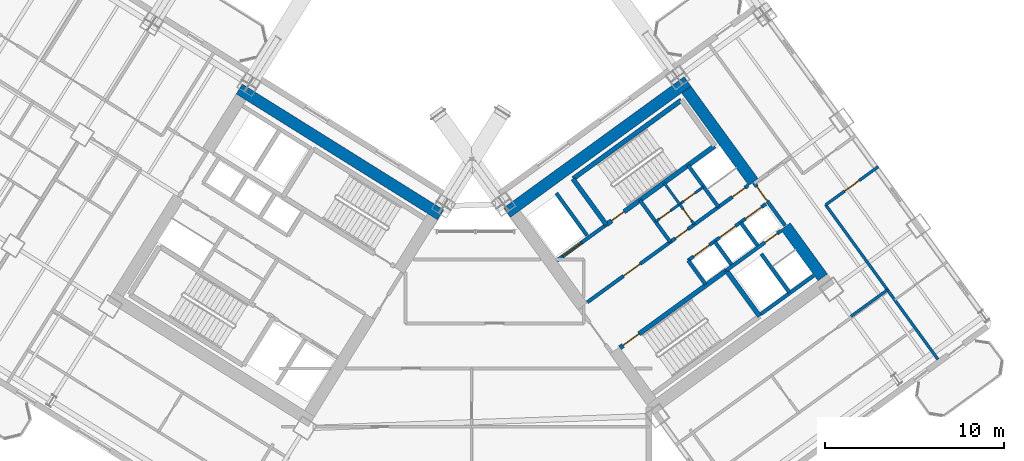
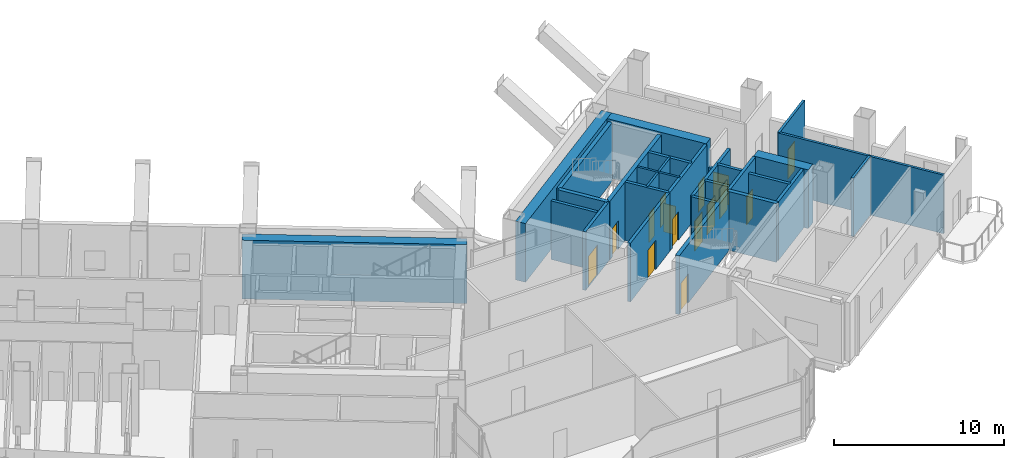
# One storey, part 25 of 30: 29 walls, 15 doors, 15 openings.
"""IFC4 building model written with IfcOpenShell, lengths in metres."""

from ifc_helpers import new_model, si_unit, direction, frame, frame_2d, origin, place, context, subcontext, project, spatial, rectangle, extrude, source, transform, mapped, material, layer, layer_set, type_object, element, fill, save


model = new_model("IFC4")

# Units and contexts
model_context = context("Model", 3, precision=1e-05, world=origin(), true_north=direction((0.0, 1.0)))
body_context = subcontext(model_context, "Body", "Model", "MODEL_VIEW")
ifc_project = project(units=[si_unit("LENGTHUNIT", "METRE"), si_unit("AREAUNIT", "SQUARE_METRE"), si_unit("VOLUMEUNIT", "CUBIC_METRE"), si_unit("PLANEANGLEUNIT", "RADIAN"), si_unit("MASSUNIT", "GRAM", prefix="KILO")], contexts=[model_context])

# Site, building, storey
site_placement = place(None, origin())
site = spatial("IfcSite", under=ifc_project, at=site_placement, CompositionType="ELEMENT")
building_placement = place(site_placement, origin())
building = spatial("IfcBuilding", under=site, at=building_placement, Name="Tlacorven Tower", CompositionType="ELEMENT")
storey_placement = place(building_placement, frame((0.0, 0.0, 67.199951171875)))
storey = spatial("IfcBuildingStorey", under=building, at=storey_placement, Name="L17", CompositionType="ELEMENT", Elevation=67.199951171875)

# Walls
ifc_material_1 = material(Name="Concrete C60/75", Category="concrete")
ifc_layer_1 = layer(ifc_material_1, 0.64990234375)
ifc_layer_set_1 = layer_set([ifc_layer_1], Name="Concrete C60/75")
wall_type_1 = type_object("IfcWallType", Name="WL-COR-650", PredefinedType="SHEAR", material=ifc_layer_set_1)
wall_1_placement = place(storey_placement, frame((40.615478515625, 23.9833984375, 0.0), z_axis=(0.0, 0.0, 1.0), x_axis=(-0.848045953968, 0.529922692436, 0.0)))
element("IfcWall", 1, at=wall_1_placement, inside=storey, type_object=wall_type_1, Name="L17 W core shear wall S1", PredefinedType="SHEAR", context=body_context, shape_type="SweptSolid", body=[
    extrude(rectangle(XDim=13.239990234375, YDim=0.64990234375, at=frame_2d((6.6201171875, 0.0))), origin(), (0.0, 0.0, 1.0), 4.219970703125),
])
wall_2_placement = place(storey_placement, frame((44.32470703125, 24.113037109375, 0.0), z_axis=(0.0, 0.0, 1.0), x_axis=(0.809012664862, 0.58779121131, 0.0)))
element("IfcWall", 2, at=wall_2_placement, inside=storey, type_object=wall_type_1, Name="L17 E core shear wall S2", PredefinedType="SHEAR", context=body_context, shape_type="SweptSolid", body=[
    extrude(rectangle(XDim=12.439697265625, YDim=0.64990234375, at=frame_2d((6.2197265625, 0.0))), origin(), (0.0, 0.0, 1.0), 4.219970703125),
])
wall_3_placement = place(storey_placement, frame((61.9287109375, 20.494384765625, 0.0), z_axis=(0.0, 0.0, 1.0), x_axis=(-0.58782982593, 0.808984607855, 0.0)))
element("IfcWall", 3, at=wall_3_placement, inside=storey, type_object=wall_type_1, Name="L17 E core end wall E2.1", PredefinedType="SHEAR", context=body_context, shape_type="SweptSolid", body=[
    extrude(rectangle(XDim=3.52490234375, YDim=0.64990234375, at=frame_2d((1.762451171875, 0.0))), origin(), (0.0, 0.0, 1.0), 4.219970703125),
])
wall_4_placement = place(storey_placement, frame((58.06396484375, 25.8134765625, 0.0), z_axis=(0.0, 0.0, 1.0), x_axis=(-0.58777996584, 0.809020835181, 0.0)))
element("IfcWall", 4, at=wall_4_placement, inside=storey, type_object=wall_type_1, Name="L17 E core end wall E2.2", PredefinedType="SHEAR", context=body_context, shape_type="SweptSolid", body=[
    extrude(rectangle(XDim=6.375, YDim=0.64990234375, at=frame_2d((3.1875, 0.0))), origin(), (0.0, 0.0, 1.0), 4.219970703125),
])
ifc_material_2 = material(Name="Gypsum plasterboard acoustic partition", Category="gypsum")
ifc_layer_2 = layer(ifc_material_2, 0.159912109375)
ifc_layer_set_2 = layer_set([ifc_layer_2], Name="Gypsum plasterboard acoustic partition")
wall_type_2 = type_object("IfcWallType", Name="WL-DEM-160", PredefinedType="PARTITIONING", material=ifc_layer_set_2)
wall_5_placement = place(storey_placement, frame((63.5068359375, 18.322021484375, 0.0), z_axis=(0.0, 0.0, 1.0), x_axis=(0.809034604122, 0.587761013791, 0.0)))
element("IfcWall", 5, at=wall_5_placement, inside=storey, type_object=wall_type_2, Name="L17 partition 90", PredefinedType="PARTITIONING", context=body_context, shape_type="SweptSolid", body=[
    extrude(rectangle(XDim=2.510009765625, YDim=0.159912109375, at=frame_2d((1.2548828125, 0.0))), origin(), (0.0, 0.0, 1.0), 4.2099609375),
])
wall_6_placement = place(storey_placement, frame((68.35302734375, 15.922119140625, 0.0), z_axis=(0.0, 0.0, 1.0), x_axis=(-0.587783168305, 0.809018508476, 0.0)))
element("IfcWall", 6, at=wall_6_placement, inside=storey, type_object=wall_type_2, Name="L17 partition 92", PredefinedType="PARTITIONING", context=body_context, shape_type="SweptSolid", body=[
    extrude(rectangle(XDim=10.650146484375, YDim=0.159912109375, at=frame_2d((5.3251953125, 0.0))), origin(), (0.0, 0.0, 1.0), 4.2099609375),
])

# Wall, opening, door
wall_7_placement = place(storey_placement, frame((62.093017578125, 24.538330078125, 0.0), z_axis=(0.0, 0.0, 1.0), x_axis=(0.809035546126, 0.58775971715, 0.0)))
wall_7 = element("IfcWall", 7, at=wall_7_placement, inside=storey, type_object=wall_type_2, Name="L17 partition 95", PredefinedType="PARTITIONING", context=body_context, shape_type="SweptSolid", body=[
    extrude(rectangle(XDim=3.6298828125, YDim=0.159912109375, at=frame_2d((1.81494140625, 0.0))), origin(), (0.0, 0.0, 1.0), 4.2099609375),
])
opening_1_placement = place(wall_7_placement, frame((1.304931640625, 0.0, 0.0)))
opening_1 = element("IfcOpeningElement", 8, at=opening_1_placement, cuts=wall_7, Name="Opening D11", PredefinedType="OPENING", context=body_context, shape_type="SweptSolid", body=[
    extrude(rectangle(XDim=1.0, YDim=2.10009765625, at=frame_2d((0.5, 1.050048828125))), frame((0.0, 0.08984375, 0.0), z_axis=(0.0, -1.0, 0.0), x_axis=(1.0, 0.0, 0.0)), (0.0, 0.0, 1.0), 0.179931640625),
])
ifc_material_3 = material(Name="Fire-rated steel door assembly", Category="steel")
door_type_1 = type_object("IfcDoorType", Name="DR-FLT-FD60-1000", OperationType="NOTDEFINED", PredefinedType="DOOR", material=ifc_material_3)
shared_shape_1 = source(origin(), body_context, "Body", "SweptSolid", [
    extrude(rectangle(XDim=1.0, YDim=2.10009765625, at=frame_2d((0.5, 1.050048828125))), frame((0.0, 0.02490234375, 0.0), z_axis=(0.0, -1.0, 0.0), x_axis=(1.0, 0.0, 0.0)), (0.0, 0.0, 1.0), 0.050048828125),
])
door_1_placement = place(opening_1_placement, origin())
door_1 = element("IfcDoor", 9, at=door_1_placement, inside=storey, type_object=door_type_1, Name="L17 door 057", OperationType="SINGLE_SWING_RIGHT", OverallHeight=2.10009765625, OverallWidth=1.0, PredefinedType="DOOR", context=body_context, shape_type="MappedRepresentation", body=[
    mapped(shared_shape_1, transform((0.0, 0.0, 0.0), scale=1.0)),
])
fill(opening_1, door_1)

ifc_material_4 = material(Name="Moisture-resistant gypsum plumbing wall", Category="gypsum")
ifc_layer_3 = layer(ifc_material_4, 0.139892578125)
ifc_layer_set_3 = layer_set([ifc_layer_3], Name="Moisture-resistant gypsum plumbing wall")
wall_type_3 = type_object("IfcWallType", Name="WL-PLM-140", PredefinedType="PLUMBINGWALL", material=ifc_layer_set_3)
wall_8_placement = place(storey_placement, frame((54.767578125, 23.443359375, 0.0), z_axis=(0.0, 0.0, 1.0), x_axis=(-0.587736077749, 0.809052719489, 0.0)))
wall_8 = element("IfcWall", 10, at=wall_8_placement, inside=storey, type_object=wall_type_3, Name="L17 partition 46", PredefinedType="PLUMBINGWALL", context=body_context, shape_type="SweptSolid", body=[
    extrude(rectangle(XDim=1.39990234375, YDim=0.139892578125, at=frame_2d((0.699951171875, 0.0))), origin(), (0.0, 0.0, 1.0), 4.2099609375),
])
opening_2_placement = place(wall_8_placement, frame((0.280029296875, 0.0, 0.0)))
opening_2 = element("IfcOpeningElement", 11, at=opening_2_placement, cuts=wall_8, Name="Opening D22", PredefinedType="OPENING", context=body_context, shape_type="SweptSolid", body=[
    extrude(rectangle(XDim=0.780029296875, YDim=2.050048828125, at=frame_2d((0.39013671875, 1.02490234375))), frame((0.0, 0.080078125, 0.0), z_axis=(0.0, -1.0, 0.0), x_axis=(1.0, 0.0, 0.0)), (0.0, 0.0, 1.0), 0.159912109375),
])
ifc_material_5 = material(Name="Powder-coated aluminium and timber door", Category="wood")
door_type_2 = type_object("IfcDoorType", Name="DR-INT-WET-0780", OperationType="NOTDEFINED", PredefinedType="DOOR", material=ifc_material_5)
shared_shape_2 = source(origin(), body_context, "Body", "SweptSolid", [
    extrude(rectangle(XDim=0.780029296875, YDim=2.050048828125, at=frame_2d((0.39013671875, 1.02490234375))), frame((0.0, 0.02490234375, 0.0), z_axis=(0.0, -1.0, 0.0), x_axis=(1.0, 0.0, 0.0)), (0.0, 0.0, 1.0), 0.050048828125),
])
door_2_placement = place(opening_2_placement, origin())
door_2 = element("IfcDoor", 12, at=door_2_placement, inside=storey, type_object=door_type_2, Name="L17 door 019", OperationType="SINGLE_SWING_LEFT", OverallHeight=2.050048828125, OverallWidth=0.780029296875, PredefinedType="DOOR", context=body_context, shape_type="MappedRepresentation", body=[
    mapped(shared_shape_2, transform((0.0, 0.0, 0.0), scale=1.0)),
])
fill(opening_2, door_2)

# Wall
wall_9_placement = place(storey_placement, frame((53.94482421875, 24.575927734375, 0.0), z_axis=(0.0, 0.0, 1.0), x_axis=(-0.587897037186, 0.808935766095, 0.0)))
element("IfcWall", 13, at=wall_9_placement, inside=storey, type_object=wall_type_3, Name="L17 partition 47", PredefinedType="PLUMBINGWALL", context=body_context, shape_type="SweptSolid", body=[
    extrude(rectangle(XDim=1.47998046875, YDim=0.139892578125, at=frame_2d((0.739990234375, 0.0))), origin(), (0.0, 0.0, 1.0), 4.2099609375),
])

# Wall, openings, doors
wall_10_placement = place(storey_placement, frame((52.617919921875, 23.612060546875, 0.0), z_axis=(0.0, 0.0, 1.0), x_axis=(0.809009587469, 0.587795446889, 0.0)))
wall_10 = element("IfcWall", 14, at=wall_10_placement, inside=storey, type_object=wall_type_3, Name="L17 partition 48", PredefinedType="PLUMBINGWALL", context=body_context, shape_type="SweptSolid", body=[
    extrude(rectangle(XDim=3.280029296875, YDim=0.139892578125, at=frame_2d((1.64013671875, 0.0))), origin(), (0.0, 0.0, 1.0), 4.2099609375),
])
opening_3_placement = place(wall_10_placement, frame((0.25, 0.0, 0.0)))
opening_3 = element("IfcOpeningElement", 15, at=opening_3_placement, cuts=wall_10, Name="Opening D22", PredefinedType="OPENING", context=body_context, shape_type="SweptSolid", body=[
    extrude(rectangle(XDim=0.780029296875, YDim=2.050048828125, at=frame_2d((0.39013671875, 1.02490234375))), frame((0.0, 0.080078125, 0.0), z_axis=(0.0, -1.0, 0.0), x_axis=(1.0, 0.0, 0.0)), (0.0, 0.0, 1.0), 0.159912109375),
])
opening_4_placement = place(wall_10_placement, frame((1.919921875, 0.0, 0.0)))
opening_4 = element("IfcOpeningElement", 16, at=opening_4_placement, cuts=wall_10, Name="Opening D22", PredefinedType="OPENING", context=body_context, shape_type="SweptSolid", body=[
    extrude(rectangle(XDim=0.780029296875, YDim=2.050048828125, at=frame_2d((0.39013671875, 1.02490234375))), frame((0.0, 0.080078125, 0.0), z_axis=(0.0, -1.0, 0.0), x_axis=(1.0, 0.0, 0.0)), (0.0, 0.0, 1.0), 0.159912109375),
])
door_3_placement = place(opening_3_placement, origin())
door_3 = element("IfcDoor", 17, at=door_3_placement, inside=storey, type_object=door_type_2, Name="L17 door 020", OperationType="SINGLE_SWING_RIGHT", OverallHeight=2.050048828125, OverallWidth=0.780029296875, PredefinedType="DOOR", context=body_context, shape_type="MappedRepresentation", body=[
    mapped(shared_shape_2, transform((0.0, 0.0, 0.0), scale=1.0)),
])
fill(opening_3, door_3)
door_4_placement = place(opening_4_placement, origin())
door_4 = element("IfcDoor", 18, at=door_4_placement, inside=storey, type_object=door_type_2, Name="L17 door 021", OperationType="SINGLE_SWING_LEFT", OverallHeight=2.050048828125, OverallWidth=0.780029296875, PredefinedType="DOOR", context=body_context, shape_type="MappedRepresentation", body=[
    mapped(shared_shape_2, transform((0.0, 0.0, 0.0), scale=1.0)),
])
fill(opening_4, door_4)

# Wall, opening, door
ifc_material_6 = material(Name="Concrete C40/50", Category="concrete")
ifc_layer_4 = layer(ifc_material_6, 0.199951171875)
ifc_layer_set_4 = layer_set([ifc_layer_4], Name="Concrete C40/50")
wall_type_4 = type_object("IfcWallType", Name="WL-SHF-200", PredefinedType="STANDARD", material=ifc_layer_set_4)
wall_11_placement = place(storey_placement, frame((47.10595703125, 21.4365234375, 0.0), z_axis=(0.0, 0.0, 1.0), x_axis=(0.809012514015, 0.58779141893, 0.0)))
wall_11 = element("IfcWall", 19, at=wall_11_placement, inside=storey, type_object=wall_type_4, Name="L17 Core E Firefighting Lift Shaft Front Wall", PredefinedType="STANDARD", context=body_context, shape_type="SweptSolid", body=[
    extrude(rectangle(XDim=3.39794921875, YDim=0.199951171875, at=frame_2d((1.698974609375, 0.0))), origin(), (0.0, 0.0, 1.0), 4.2099609375),
])
opening_5_placement = place(wall_11_placement, frame((0.407958984375, 0.0, 0.0)))
opening_5 = element("IfcOpeningElement", 20, at=opening_5_placement, cuts=wall_11, Name="Opening LD03", PredefinedType="OPENING", context=body_context, shape_type="SweptSolid", body=[
    extrude(rectangle(XDim=1.300048828125, YDim=2.199951171875, at=frame_2d((0.64990234375, 1.10009765625))), frame((0.0, 0.10986328125, 0.0), z_axis=(0.0, -1.0, 0.0), x_axis=(1.0, 0.0, 0.0)), (0.0, 0.0, 1.0), 0.219970703125),
])
door_type_3 = type_object("IfcDoorType", Name="DR-LFT-SLID-1300", OperationType="DOUBLE_DOOR_SLIDING", PredefinedType="DOOR", material=ifc_material_3)
shared_shape_3 = source(origin(), body_context, "Body", "SweptSolid", [
    extrude(rectangle(XDim=1.300048828125, YDim=2.199951171875, at=frame_2d((0.64990234375, 1.10009765625))), frame((0.0, 0.02490234375, 0.0), z_axis=(0.0, -1.0, 0.0), x_axis=(1.0, 0.0, 0.0)), (0.0, 0.0, 1.0), 0.050048828125),
])
door_5_placement = place(opening_5_placement, origin())
door_5 = element("IfcDoor", 21, at=door_5_placement, inside=storey, type_object=door_type_3, Name="L17 Lift FFL-E1 Sliding Landing Door", OperationType="DOUBLE_DOOR_SLIDING", OverallHeight=2.199951171875, OverallWidth=1.300048828125, PredefinedType="DOOR", context=body_context, shape_type="MappedRepresentation", body=[
    mapped(shared_shape_3, transform((0.0, 0.0, 0.0), scale=1.0)),
])
fill(opening_5, door_5)

wall_12_placement = place(storey_placement, frame((48.798828125, 19.106689453125, 0.0), z_axis=(0.0, 0.0, 1.0), x_axis=(0.809012959416, 0.587790805897, 0.0)))
wall_12 = element("IfcWall", 22, at=wall_12_placement, inside=storey, type_object=wall_type_4, Name="L17 Core E Smoke Lobby Wall", PredefinedType="STANDARD", context=body_context, shape_type="SweptSolid", body=[
    extrude(rectangle(XDim=5.7177734375, YDim=0.199951171875, at=frame_2d((2.85888671875, 0.0))), origin(), (0.0, 0.0, 1.0), 4.2099609375),
])
opening_6_placement = place(wall_12_placement, frame((2.498046875, 0.0, 0.0)))
opening_6 = element("IfcOpeningElement", 23, at=opening_6_placement, cuts=wall_12, Name="Opening D09", PredefinedType="OPENING", context=body_context, shape_type="SweptSolid", body=[
    extrude(rectangle(XDim=1.14990234375, YDim=2.10009765625, at=frame_2d((0.574951171875, 1.050048828125))), frame((0.0, 0.10986328125, 0.0), z_axis=(0.0, -1.0, 0.0), x_axis=(1.0, 0.0, 0.0)), (0.0, 0.0, 1.0), 0.219970703125),
])
door_type_4 = type_object("IfcDoorType", Name="DR-FFL-FD60-1150", OperationType="NOTDEFINED", PredefinedType="DOOR", material=ifc_material_3)
shared_shape_4 = source(origin(), body_context, "Body", "SweptSolid", [
    extrude(rectangle(XDim=1.14990234375, YDim=2.10009765625, at=frame_2d((0.574951171875, 1.050048828125))), frame((0.0, 0.02490234375, 0.0), z_axis=(0.0, -1.0, 0.0), x_axis=(1.0, 0.0, 0.0)), (0.0, 0.0, 1.0), 0.050048828125),
])
door_6_placement = place(opening_6_placement, origin())
door_6 = element("IfcDoor", 24, at=door_6_placement, inside=storey, type_object=door_type_4, Name="L17 Firefighting Lobby E Fire Door", OperationType="SINGLE_SWING_LEFT", OverallHeight=2.10009765625, OverallWidth=1.14990234375, PredefinedType="DOOR", context=body_context, shape_type="MappedRepresentation", body=[
    mapped(shared_shape_4, transform((0.0, 0.0, 0.0), scale=1.0)),
])
fill(opening_6, door_6)

wall_13_placement = place(storey_placement, frame((56.552978515625, 20.884033203125, 0.0), z_axis=(0.0, 0.0, 1.0), x_axis=(0.809035789462, 0.587759382205, 0.0)))
wall_13 = element("IfcWall", 25, at=wall_13_placement, inside=storey, type_object=wall_type_4, Name="L17 Core E South Lift Shaft Wall", PredefinedType="STANDARD", context=body_context, shape_type="SweptSolid", body=[
    extrude(rectangle(XDim=3.767822265625, YDim=0.199951171875, at=frame_2d((1.8837890625, 0.0))), origin(), (0.0, 0.0, 1.0), 4.2099609375),
])
opening_7_placement = place(wall_13_placement, frame((2.64990234375, 0.0, 0.0)))
opening_7 = element("IfcOpeningElement", 26, at=opening_7_placement, cuts=wall_13, Name="Opening D19", PredefinedType="OPENING", context=body_context, shape_type="SweptSolid", body=[
    extrude(rectangle(XDim=0.860107421875, YDim=2.050048828125, at=frame_2d((0.43017578125, 1.02490234375))), frame((0.0, 0.10986328125, 0.0), z_axis=(0.0, -1.0, 0.0), x_axis=(1.0, 0.0, 0.0)), (0.0, 0.0, 1.0), 0.219970703125),
])
door_type_5 = type_object("IfcDoorType", Name="DR-RSR-FD60-0860", OperationType="NOTDEFINED", PredefinedType="DOOR", material=ifc_material_3)
shared_shape_5 = source(origin(), body_context, "Body", "SweptSolid", [
    extrude(rectangle(XDim=0.860107421875, YDim=2.050048828125, at=frame_2d((0.43017578125, 1.02490234375))), frame((0.0, 0.02490234375, 0.0), z_axis=(0.0, -1.0, 0.0), x_axis=(1.0, 0.0, 0.0)), (0.0, 0.0, 1.0), 0.050048828125),
])
door_7_placement = place(opening_7_placement, origin())
door_7 = element("IfcDoor", 27, at=door_7_placement, inside=storey, type_object=door_type_5, Name="L17 Smoke Extract Riser Access Door", OperationType="SINGLE_SWING_RIGHT", OverallHeight=2.050048828125, OverallWidth=0.860107421875, PredefinedType="DOOR", context=body_context, shape_type="MappedRepresentation", body=[
    mapped(shared_shape_5, transform((0.0, 0.0, 0.0), scale=1.0)),
])
fill(opening_7, door_7)

# Wall, openings, doors
wall_14_placement = place(storey_placement, frame((54.421142578125, 21.436279296875, 0.0), z_axis=(0.0, 0.0, 1.0), x_axis=(0.809013710463, 0.587789772183, 0.0)))
wall_14 = element("IfcWall", 28, at=wall_14_placement, inside=storey, type_object=wall_type_4, Name="L17 partition 34", PredefinedType="STANDARD", context=body_context, shape_type="SweptSolid", body=[
    extrude(rectangle(XDim=5.360107421875, YDim=0.199951171875, at=frame_2d((2.68017578125, 0.0))), origin(), (0.0, 0.0, 1.0), 4.2099609375),
])
opening_8_placement = place(wall_14_placement, frame((0.3701171875, 0.0, 0.0)))
opening_8 = element("IfcOpeningElement", 29, at=opening_8_placement, cuts=wall_14, Name="Opening LD01", PredefinedType="OPENING", context=body_context, shape_type="SweptSolid", body=[
    extrude(rectangle(XDim=1.10009765625, YDim=2.14990234375, at=frame_2d((0.550048828125, 1.074951171875))), frame((0.0, 0.10986328125, 0.0), z_axis=(0.0, -1.0, 0.0), x_axis=(1.0, 0.0, 0.0)), (0.0, 0.0, 1.0), 0.219970703125),
])
opening_9_placement = place(wall_14_placement, frame((2.169921875, 0.0, 0.0)))
opening_9 = element("IfcOpeningElement", 30, at=opening_9_placement, cuts=wall_14, Name="Opening LD01", PredefinedType="OPENING", context=body_context, shape_type="SweptSolid", body=[
    extrude(rectangle(XDim=1.10009765625, YDim=2.14990234375, at=frame_2d((0.550048828125, 1.074951171875))), frame((0.0, 0.10986328125, 0.0), z_axis=(0.0, -1.0, 0.0), x_axis=(1.0, 0.0, 0.0)), (0.0, 0.0, 1.0), 0.219970703125),
])
opening_10_placement = place(wall_14_placement, frame((3.969970703125, 0.0, 0.0)))
opening_10 = element("IfcOpeningElement", 31, at=opening_10_placement, cuts=wall_14, Name="Opening LD01", PredefinedType="OPENING", context=body_context, shape_type="SweptSolid", body=[
    extrude(rectangle(XDim=1.10009765625, YDim=2.14990234375, at=frame_2d((0.550048828125, 1.074951171875))), frame((0.0, 0.10986328125, 0.0), z_axis=(0.0, -1.0, 0.0), x_axis=(1.0, 0.0, 0.0)), (0.0, 0.0, 1.0), 0.219970703125),
])
door_type_6 = type_object("IfcDoorType", Name="DR-LFT-SLID-1100", OperationType="DOUBLE_DOOR_SLIDING", PredefinedType="DOOR", material=ifc_material_3)
shared_shape_6 = source(origin(), body_context, "Body", "SweptSolid", [
    extrude(rectangle(XDim=1.10009765625, YDim=2.14990234375, at=frame_2d((0.550048828125, 1.074951171875))), frame((0.0, 0.02490234375, 0.0), z_axis=(0.0, -1.0, 0.0), x_axis=(1.0, 0.0, 0.0)), (0.0, 0.0, 1.0), 0.050048828125),
])
door_8_placement = place(opening_8_placement, origin())
door_8 = element("IfcDoor", 32, at=door_8_placement, inside=storey, type_object=door_type_6, Name="L17 Lift PL-L1 Sliding Landing Door", OperationType="DOUBLE_DOOR_SLIDING", OverallHeight=2.14990234375, OverallWidth=1.10009765625, PredefinedType="DOOR", context=body_context, shape_type="MappedRepresentation", body=[
    mapped(shared_shape_6, transform((0.0, 0.0, 0.0), scale=1.0)),
])
fill(opening_8, door_8)
door_9_placement = place(opening_9_placement, origin())
door_9 = element("IfcDoor", 33, at=door_9_placement, inside=storey, type_object=door_type_6, Name="L17 Lift PL-L2 Sliding Landing Door", OperationType="DOUBLE_DOOR_SLIDING", OverallHeight=2.14990234375, OverallWidth=1.10009765625, PredefinedType="DOOR", context=body_context, shape_type="MappedRepresentation", body=[
    mapped(shared_shape_6, transform((0.0, 0.0, 0.0), scale=1.0)),
])
fill(opening_9, door_9)
door_10_placement = place(opening_10_placement, origin())
door_10 = element("IfcDoor", 34, at=door_10_placement, inside=storey, type_object=door_type_6, Name="L17 Lift PL-L3 Sliding Landing Door", OperationType="DOUBLE_DOOR_SLIDING", OverallHeight=2.14990234375, OverallWidth=1.10009765625, PredefinedType="DOOR", context=body_context, shape_type="MappedRepresentation", body=[
    mapped(shared_shape_6, transform((0.0, 0.0, 0.0), scale=1.0)),
])
fill(opening_10, door_10)

# Walls
wall_15_placement = place(storey_placement, frame((55.390869140625, 20.1015625, 0.0), z_axis=(0.0, 0.0, 1.0), x_axis=(-0.58778447739, 0.809017557374, 0.0)))
element("IfcWall", 35, at=wall_15_placement, inside=storey, type_object=wall_type_4, Name="L17 partition 35", PredefinedType="STANDARD", context=body_context, shape_type="SweptSolid", body=[
    extrude(rectangle(XDim=1.64990234375, YDim=0.199951171875, at=frame_2d((0.824951171875, 0.0))), origin(), (0.0, 0.0, 1.0), 4.2099609375),
])
wall_16_placement = place(storey_placement, frame((48.78564453125, 22.830078125, 0.0), z_axis=(0.0, 0.0, 1.0), x_axis=(-0.587783856777, 0.809018008275, 0.0)))
element("IfcWall", 36, at=wall_16_placement, inside=storey, type_object=wall_type_4, Name="L17 partition 36", PredefinedType="STANDARD", context=body_context, shape_type="SweptSolid", body=[
    extrude(rectangle(XDim=2.919921875, YDim=0.199951171875, at=frame_2d((1.4599609375, 0.0))), origin(), (0.0, 0.0, 1.0), 4.2099609375),
])
wall_17_placement = place(storey_placement, frame((56.833984375, 21.211669921875, 0.0), z_axis=(0.0, 0.0, 1.0), x_axis=(-0.58776738483, 0.809029975545, 0.0)))
element("IfcWall", 37, at=wall_17_placement, inside=storey, type_object=wall_type_4, Name="L17 partition 37", PredefinedType="STANDARD", context=body_context, shape_type="SweptSolid", body=[
    extrude(rectangle(XDim=1.580078125, YDim=0.199951171875, at=frame_2d((0.7900390625, 0.0))), origin(), (0.0, 0.0, 1.0), 4.2099609375),
])
wall_18_placement = place(storey_placement, frame((58.290283203125, 22.269775390625, 0.0), z_axis=(0.0, 0.0, 1.0), x_axis=(-0.587840865826, 0.808976585857, 0.0)))
element("IfcWall", 38, at=wall_18_placement, inside=storey, type_object=wall_type_4, Name="L17 partition 38", PredefinedType="STANDARD", context=body_context, shape_type="SweptSolid", body=[
    extrude(rectangle(XDim=1.579833984375, YDim=0.199951171875, at=frame_2d((0.7900390625, 0.0))), origin(), (0.0, 0.0, 1.0), 4.2099609375),
])
wall_19_placement = place(storey_placement, frame((60.066650390625, 19.654541015625, 0.0), z_axis=(0.0, 0.0, 1.0), x_axis=(-0.587800520745, 0.809005900975, 0.0)))
element("IfcWall", 39, at=wall_19_placement, inside=storey, type_object=wall_type_4, Name="L17 partition 39", PredefinedType="STANDARD", context=body_context, shape_type="SweptSolid", body=[
    extrude(rectangle(XDim=2.659912109375, YDim=0.199951171875, at=frame_2d((1.330078125, 0.0))), origin(), (0.0, 0.0, 1.0), 4.2099609375),
])
wall_20_placement = place(storey_placement, frame((58.47216796875, 18.446533203125, 0.0), z_axis=(0.0, 0.0, 1.0), x_axis=(0.809022487728, 0.587777691266, 0.0)))
element("IfcWall", 40, at=wall_20_placement, inside=storey, type_object=wall_type_4, Name="L17 partition 41", PredefinedType="STANDARD", context=body_context, shape_type="SweptSolid", body=[
    extrude(rectangle(XDim=3.648193359375, YDim=0.199951171875, at=frame_2d((1.82421875, 0.0))), origin(), (0.0, 0.0, 1.0), 4.2099609375),
])
wall_21_placement = place(storey_placement, frame((53.424560546875, 22.467529296875, 0.0), z_axis=(0.0, 0.0, 1.0), x_axis=(-0.5877230039, 0.809062216821, 0.0)))
element("IfcWall", 41, at=wall_21_placement, inside=storey, type_object=wall_type_4, Name="L17 partition 43", PredefinedType="STANDARD", context=body_context, shape_type="SweptSolid", body=[
    extrude(rectangle(XDim=2.8798828125, YDim=0.199951171875, at=frame_2d((1.43994140625, 0.0))), origin(), (0.0, 0.0, 1.0), 4.2099609375),
])
wall_22_placement = place(storey_placement, frame((56.110595703125, 24.4189453125, 0.0), z_axis=(0.0, 0.0, 1.0), x_axis=(-0.58777848983, 0.809021907548, 0.0)))
element("IfcWall", 42, at=wall_22_placement, inside=storey, type_object=wall_type_4, Name="L17 partition 44", PredefinedType="STANDARD", context=body_context, shape_type="SweptSolid", body=[
    extrude(rectangle(XDim=2.880126953125, YDim=0.199951171875, at=frame_2d((1.43994140625, 0.0))), origin(), (0.0, 0.0, 1.0), 4.2099609375),
])

# Wall, openings, doors
wall_23_placement = place(storey_placement, frame((53.424560546875, 22.467529296875, 0.0), z_axis=(0.0, 0.0, 1.0), x_axis=(0.80902705128, 0.587771409902, 0.0)))
wall_23 = element("IfcWall", 43, at=wall_23_placement, inside=storey, type_object=wall_type_4, Name="L17 Core E North Service Wall", PredefinedType="STANDARD", context=body_context, shape_type="SweptSolid", body=[
    extrude(rectangle(XDim=5.3681640625, YDim=0.199951171875, at=frame_2d((2.68408203125, 0.0))), origin(), (0.0, 0.0, 1.0), 4.2099609375),
])
opening_11_placement = place(wall_23_placement, frame((4.280029296875, 0.0, 0.0)))
opening_11 = element("IfcOpeningElement", 44, at=opening_11_placement, cuts=wall_23, Name="Opening D19", PredefinedType="OPENING", context=body_context, shape_type="SweptSolid", body=[
    extrude(rectangle(XDim=0.860107421875, YDim=2.050048828125, at=frame_2d((0.43017578125, 1.02490234375))), frame((0.0, 0.10986328125, 0.0), z_axis=(0.0, -1.0, 0.0), x_axis=(1.0, 0.0, 0.0)), (0.0, 0.0, 1.0), 0.219970703125),
])
opening_12_placement = place(wall_23_placement, frame((0.35009765625, 0.0, 0.0)))
opening_12 = element("IfcOpeningElement", 45, at=opening_12_placement, cuts=wall_23, Name="Opening D19", PredefinedType="OPENING", context=body_context, shape_type="SweptSolid", body=[
    extrude(rectangle(XDim=0.860107421875, YDim=2.050048828125, at=frame_2d((0.43017578125, 1.02490234375))), frame((0.0, 0.10986328125, 0.0), z_axis=(0.0, -1.0, 0.0), x_axis=(1.0, 0.0, 0.0)), (0.0, 0.0, 1.0), 0.219970703125),
])
door_11_placement = place(opening_11_placement, frame((0.860107421875, 0.0, 0.0), z_axis=(0.0, 0.0, 1.0), x_axis=(-1.0, 0.0, 0.0)))
door_11 = element("IfcDoor", 46, at=door_11_placement, inside=storey, type_object=door_type_5, Name="L17 Electrical Riser Access Door E", OperationType="SINGLE_SWING_LEFT", OverallHeight=2.050048828125, OverallWidth=0.860107421875, PredefinedType="DOOR", context=body_context, shape_type="MappedRepresentation", body=[
    mapped(shared_shape_5, transform((0.0, 0.0, 0.0), scale=1.0)),
])
fill(opening_11, door_11)
door_12_placement = place(opening_12_placement, frame((0.860107421875, 0.0, 0.0), z_axis=(0.0, 0.0, 1.0), x_axis=(-1.0, 0.0, 0.0)))
door_12 = element("IfcDoor", 47, at=door_12_placement, inside=storey, type_object=door_type_5, Name="L17 Cleaning Room Access Door E", OperationType="SINGLE_SWING_RIGHT", OverallHeight=2.050048828125, OverallWidth=0.860107421875, PredefinedType="DOOR", context=body_context, shape_type="MappedRepresentation", body=[
    mapped(shared_shape_5, transform((0.0, 0.0, 0.0), scale=1.0)),
])
fill(opening_12, door_12)

# Wall, opening, door
wall_24_placement = place(storey_placement, frame((59.827392578125, 23.386474609375, 0.0), z_axis=(0.0, 0.0, 1.0), x_axis=(-0.587803840107, 0.809003489211, 0.0)))
wall_24 = element("IfcWall", 48, at=wall_24_placement, inside=storey, type_object=wall_type_4, Name="L17 partition 89", PredefinedType="STANDARD", context=body_context, shape_type="SweptSolid", body=[
    extrude(rectangle(XDim=2.960205078125, YDim=0.199951171875, at=frame_2d((1.47998046875, 0.0))), origin(), (0.0, 0.0, 1.0), 2.39501953125),
])
opening_13_placement = place(wall_24_placement, frame((1.679931640625, 0.0, 0.0)))
opening_13 = element("IfcOpeningElement", 49, at=opening_13_placement, cuts=wall_24, Name="Opening D11", PredefinedType="OPENING", context=body_context, shape_type="SweptSolid", body=[
    extrude(rectangle(XDim=1.0, YDim=2.10009765625, at=frame_2d((0.5, 1.050048828125))), frame((0.0, 0.10986328125, 0.0), z_axis=(0.0, -1.0, 0.0), x_axis=(1.0, 0.0, 0.0)), (0.0, 0.0, 1.0), 0.219970703125),
])
door_13_placement = place(opening_13_placement, origin())
door_13 = element("IfcDoor", 50, at=door_13_placement, inside=storey, type_object=door_type_1, Name="L17 door 055", OperationType="SINGLE_SWING_RIGHT", OverallHeight=2.10009765625, OverallWidth=1.0, PredefinedType="DOOR", context=body_context, shape_type="MappedRepresentation", body=[
    mapped(shared_shape_1, transform((0.0, 0.0, 0.0), scale=1.0)),
])
fill(opening_13, door_13)

# Wall
ifc_material_7 = material(Name="Concrete C50/60", Category="concrete")
ifc_layer_5 = layer(ifc_material_7, 0.260009765625)
ifc_layer_set_5 = layer_set([ifc_layer_5], Name="Concrete C50/60")
wall_type_5 = type_object("IfcWallType", Name="WL-STW-260", PredefinedType="SHEAR", material=ifc_layer_set_5)
wall_25_placement = place(storey_placement, frame((48.005615234375, 25.996337890625, 0.0), z_axis=(0.0, 0.0, 1.0), x_axis=(0.80901903764, 0.587782439969, 0.0)))
element("IfcWall", 51, at=wall_25_placement, inside=storey, type_object=wall_type_5, Name="L17 Stair E1 Far Shear Wall", PredefinedType="SHEAR", context=body_context, shape_type="SweptSolid", body=[
    extrude(rectangle(XDim=7.4599609375, YDim=0.260009765625, at=frame_2d((3.72998046875, 0.0))), origin(), (0.0, 0.0, 1.0), 4.219970703125),
])

# Wall, opening, door
wall_26_placement = place(storey_placement, frame((49.863037109375, 23.439697265625, 0.0), z_axis=(0.0, 0.0, 1.0), x_axis=(0.809003474932, 0.587803859759, 0.0)))
wall_26 = element("IfcWall", 52, at=wall_26_placement, inside=storey, type_object=wall_type_5, Name="L17 Stair E1 Lobby Shear Wall", PredefinedType="SHEAR", context=body_context, shape_type="SweptSolid", body=[
    extrude(rectangle(XDim=7.4599609375, YDim=0.260009765625, at=frame_2d((3.72998046875, 0.0))), origin(), (0.0, 0.0, 1.0), 4.219970703125),
])
opening_14_placement = place(wall_26_placement, frame((0.360107421875, 0.0, 0.0)))
opening_14 = element("IfcOpeningElement", 53, at=opening_14_placement, cuts=wall_26, Name="Opening D19", PredefinedType="OPENING", context=body_context, shape_type="SweptSolid", body=[
    extrude(rectangle(XDim=0.860107421875, YDim=2.050048828125, at=frame_2d((0.43017578125, 1.02490234375))), frame((0.0, 0.14013671875, 0.0), z_axis=(0.0, -1.0, 0.0), x_axis=(1.0, 0.0, 0.0)), (0.0, 0.0, 1.0), 0.280029296875),
])
door_14_placement = place(opening_14_placement, frame((0.860107421875, 0.0, 0.0), z_axis=(0.0, 0.0, 1.0), x_axis=(-1.0, 0.0, 0.0)))
door_14 = element("IfcDoor", 54, at=door_14_placement, inside=storey, type_object=door_type_5, Name="L17 Exit Stair E1 Fire Door", OperationType="SINGLE_SWING_LEFT", OverallHeight=2.050048828125, OverallWidth=0.860107421875, PredefinedType="DOOR", context=body_context, shape_type="MappedRepresentation", body=[
    mapped(shared_shape_5, transform((0.0, 0.0, 0.0), scale=1.0)),
])
fill(opening_14, door_14)

# Wall
wall_27_placement = place(storey_placement, frame((49.85498046875, 23.433837890625, 0.0), z_axis=(0.0, 0.0, 1.0), x_axis=(-0.58776738483, 0.809029975545, 0.0)))
element("IfcWall", 55, at=wall_27_placement, inside=storey, type_object=wall_type_5, Name="L17 Stair E1 West Shear Wall", PredefinedType="SHEAR", context=body_context, shape_type="SweptSolid", body=[
    extrude(rectangle(XDim=3.16015625, YDim=0.260009765625, at=frame_2d((1.580078125, 0.0))), origin(), (0.0, 0.0, 1.0), 4.219970703125),
])

# Wall, opening, door
wall_28_placement = place(storey_placement, frame((50.61474609375, 16.569580078125, 0.0), z_axis=(0.0, 0.0, 1.0), x_axis=(0.809028366311, 0.587769599847, 0.0)))
wall_28 = element("IfcWall", 56, at=wall_28_placement, inside=storey, type_object=wall_type_5, Name="L17 Stair E2 Lobby Shear Wall", PredefinedType="SHEAR", context=body_context, shape_type="SweptSolid", body=[
    extrude(rectangle(XDim=7.330078125, YDim=0.260009765625, at=frame_2d((3.6650390625, 0.0))), origin(), (0.0, 0.0, 1.0), 4.219970703125),
])
opening_15_placement = place(wall_28_placement, frame((0.219970703125, 0.0, 0.0)))
opening_15 = element("IfcOpeningElement", 57, at=opening_15_placement, cuts=wall_28, Name="Opening D07", PredefinedType="OPENING", context=body_context, shape_type="SweptSolid", body=[
    extrude(rectangle(XDim=1.10009765625, YDim=2.10009765625, at=frame_2d((0.550048828125, 1.050048828125))), frame((0.0, 0.14013671875, 0.0), z_axis=(0.0, -1.0, 0.0), x_axis=(1.0, 0.0, 0.0)), (0.0, 0.0, 1.0), 0.280029296875),
])
door_type_7 = type_object("IfcDoorType", Name="DR-STR-FD90-1100", OperationType="NOTDEFINED", PredefinedType="DOOR", material=ifc_material_3)
shared_shape_7 = source(origin(), body_context, "Body", "SweptSolid", [
    extrude(rectangle(XDim=1.10009765625, YDim=2.10009765625, at=frame_2d((0.550048828125, 1.050048828125))), frame((0.0, 0.02490234375, 0.0), z_axis=(0.0, -1.0, 0.0), x_axis=(1.0, 0.0, 0.0)), (0.0, 0.0, 1.0), 0.050048828125),
])
door_15_placement = place(opening_15_placement, origin())
door_15 = element("IfcDoor", 58, at=door_15_placement, inside=storey, type_object=door_type_7, Name="L17 Exit Stair E2 Fire Door", OperationType="SINGLE_SWING_RIGHT", OverallHeight=2.10009765625, OverallWidth=1.10009765625, PredefinedType="DOOR", context=body_context, shape_type="MappedRepresentation", body=[
    mapped(shared_shape_7, transform((0.0, 0.0, 0.0), scale=1.0)),
])
fill(opening_15, door_15)

# Wall
wall_29_placement = place(storey_placement, frame((58.410400390625, 18.327392578125, 0.0), z_axis=(0.0, 0.0, 1.0), x_axis=(-0.58776738483, 0.809029975545, 0.0)))
element("IfcWall", 59, at=wall_29_placement, inside=storey, type_object=wall_type_5, Name="L17 Stair E2 East Shear Wall", PredefinedType="SHEAR", context=body_context, shape_type="SweptSolid", body=[
    extrude(rectangle(XDim=3.16015625, YDim=0.260009765625, at=frame_2d((1.580078125, 0.0))), origin(), (0.0, 0.0, 1.0), 4.219970703125),
])

save(model, "model.ifc")
